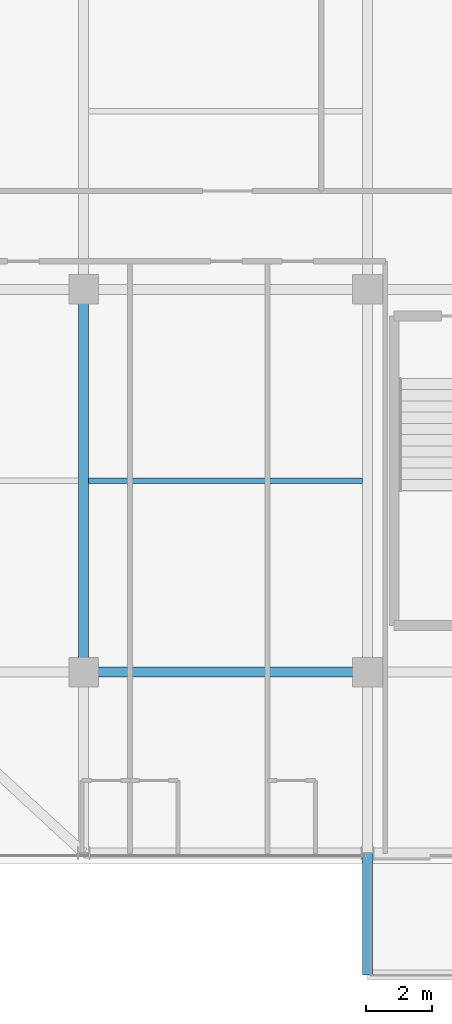
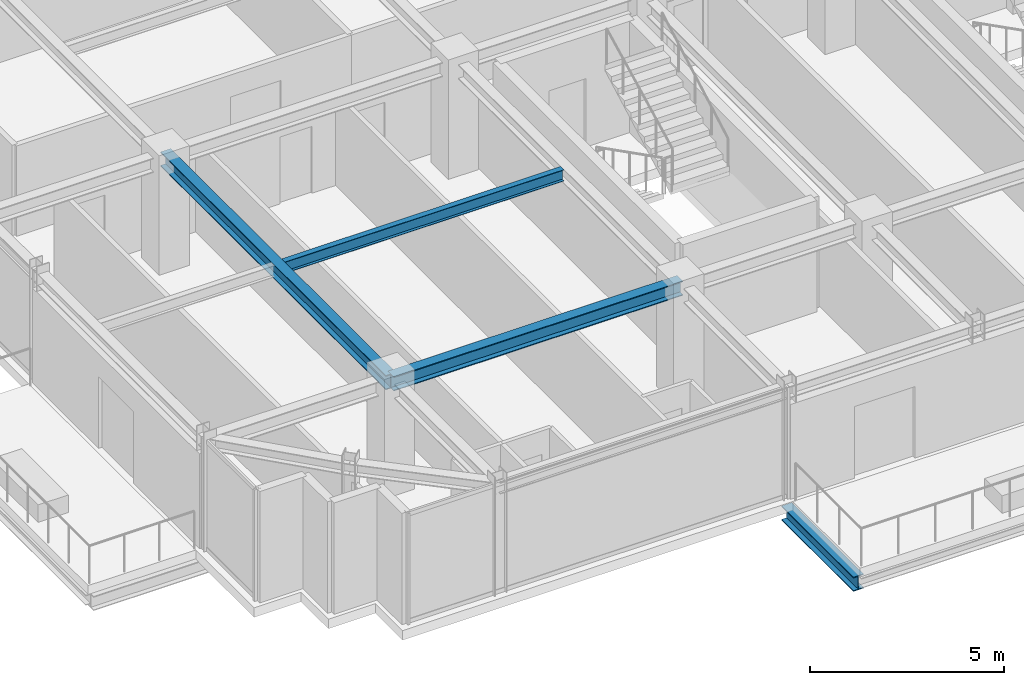
# One storey, part 6 of 31: 4 beams.
"""IFC4 building model written with IfcOpenShell, lengths in metres."""

from ifc_helpers import new_model, si_unit, direction, frame, origin, origin_2d, place, context, subcontext, project, spatial, i_section, extrude, source, transform, mapped, material, material_profile, profile_set, type_object, element, save


model = new_model("IFC4")

# Units and contexts
model_context = context("Model", 3, precision=1e-05, world=origin(), true_north=direction((0.0, 1.0)))
body_context = subcontext(model_context, "Body", "Model", "MODEL_VIEW")
ifc_project = project(units=[si_unit("LENGTHUNIT", "METRE"), si_unit("AREAUNIT", "SQUARE_METRE"), si_unit("VOLUMEUNIT", "CUBIC_METRE"), si_unit("PLANEANGLEUNIT", "RADIAN"), si_unit("MASSUNIT", "GRAM", prefix="KILO")], contexts=[model_context])

# Site, building, storey
site_placement = place(None, origin())
site = spatial("IfcSite", under=ifc_project, at=site_placement, CompositionType="ELEMENT")
building_placement = place(site_placement, origin())
building = spatial("IfcBuilding", under=site, at=building_placement, Name="Nahalor Promenade Grand Hotel", CompositionType="ELEMENT")
storey_placement = place(building_placement, frame((0.0, 0.0, 323.35009765625)))
storey = spatial("IfcBuildingStorey", under=building, at=storey_placement, Name="L83", CompositionType="ELEMENT", Elevation=323.35009765625)

# Beams
ifc_material = material(Name="Steel S355JR", Category="steel")
ifc_material_profile_1 = material_profile(ifc_material, i_section(OverallWidth=0.3, OverallDepth=0.45, WebThickness=0.014, FlangeThickness=0.026, at=origin_2d()), Name="HEB 450")
ifc_profile_set_1 = profile_set([ifc_material_profile_1], Name="Steel S355JR")
beam_type_1 = type_object("IfcBeamType", Name="Beam-Outrigger-HEB450", PredefinedType="BEAM", material=ifc_profile_set_1)
shared_shape_1 = source(origin(), body_context, "Body", "SweptSolid", [
    extrude(i_section(OverallWidth=0.3, OverallDepth=0.45, WebThickness=0.014, FlangeThickness=0.026, at=origin_2d()), origin(), (0.0, 0.0, 1.0), 3.699951171875),
])
beam_1_placement = place(storey_placement, frame((-8.39990234375, -26.179931640625, -0.505126953125), z_axis=(0.0, 1.0, 0.0), x_axis=(-1.0, 0.0, 0.0)))
element("IfcBeam", 1, at=beam_1_placement, inside=storey, type_object=beam_type_1, Name="BM-L83-BC-01-1", PredefinedType="BEAM", context=body_context, shape_type="MappedRepresentation", body=[
    mapped(shared_shape_1, transform((0.0, 0.0, 0.0), scale=1.0)),
])
ifc_material_profile_2 = material_profile(ifc_material, i_section(OverallWidth=0.3, OverallDepth=0.45, WebThickness=0.014, FlangeThickness=0.026, at=origin_2d()), Name="HEB 450")
ifc_profile_set_2 = profile_set([ifc_material_profile_2], Name="Steel S355JR")
beam_type_2 = type_object("IfcBeamType", Name="Beam-Girder-HEB450", PredefinedType="BEAM", material=ifc_profile_set_2)
shared_shape_2 = source(origin(), body_context, "Body", "SweptSolid", [
    extrude(i_section(OverallWidth=0.3, OverallDepth=0.45, WebThickness=0.014, FlangeThickness=0.026, at=origin_2d()), origin(), (0.0, 0.0, 1.0), 8.60009765625),
])
beam_2_placement = place(storey_placement, frame((-17.0, -17.0, 3.27490234375), z_axis=(1.0, 0.0, 0.0), x_axis=(0.0, 1.0, 0.0)))
element("IfcBeam", 2, at=beam_2_placement, inside=storey, type_object=beam_type_2, Name="BM-L83-GX-0-1", PredefinedType="BEAM", context=body_context, shape_type="MappedRepresentation", body=[
    mapped(shared_shape_2, transform((0.0, 0.0, 0.0), scale=1.0)),
])
shared_shape_3 = source(origin(), body_context, "Body", "SweptSolid", [
    extrude(i_section(OverallWidth=0.3, OverallDepth=0.45, WebThickness=0.014, FlangeThickness=0.026, at=origin_2d()), origin(), (0.0, 0.0, 1.0), 11.60009765625),
])
beam_3_placement = place(storey_placement, frame((-17.0, -17.0, 3.27490234375), z_axis=(0.0, 1.0, 0.0), x_axis=(-1.0, 0.0, 0.0)))
element("IfcBeam", 3, at=beam_3_placement, inside=storey, type_object=beam_type_2, Name="BM-L83-GY-0-1", PredefinedType="BEAM", context=body_context, shape_type="MappedRepresentation", body=[
    mapped(shared_shape_3, transform((0.0, 0.0, 0.0), scale=1.0)),
])
ifc_material_profile_3 = material_profile(ifc_material, i_section(OverallWidth=0.17, OverallDepth=0.36, WebThickness=0.008, FlangeThickness=0.0127, at=origin_2d()), Name="IPE 360")
ifc_profile_set_3 = profile_set([ifc_material_profile_3], Name="Steel S355JR")
beam_type_3 = type_object("IfcBeamType", Name="Beam-Joist-IPE360", PredefinedType="JOIST", material=ifc_profile_set_3)
shared_shape_4 = source(origin(), body_context, "Body", "SweptSolid", [
    extrude(i_section(OverallWidth=0.17, OverallDepth=0.36, WebThickness=0.008, FlangeThickness=0.0127, at=origin_2d()), origin(), (0.0, 0.0, 1.0), 8.300048828125),
])
beam_4_placement = place(storey_placement, frame((-16.85009765625, -11.199951171875, 3.31982421875), z_axis=(1.0, 0.0, 0.0), x_axis=(0.0, 1.0, 0.0)))
element("IfcBeam", 4, at=beam_4_placement, inside=storey, type_object=beam_type_3, Name="BM-L83-JSW-0-1", PredefinedType="JOIST", context=body_context, shape_type="MappedRepresentation", body=[
    mapped(shared_shape_4, transform((0.0, 0.0, 0.0), scale=1.0)),
])

save(model, "model.ifc")
